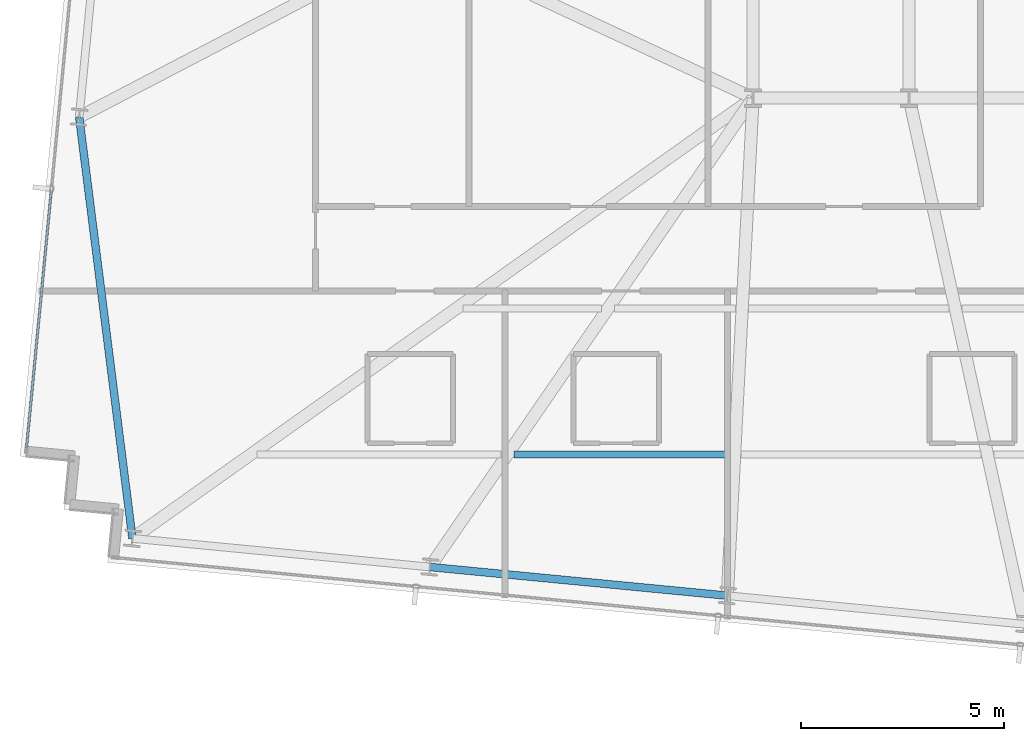
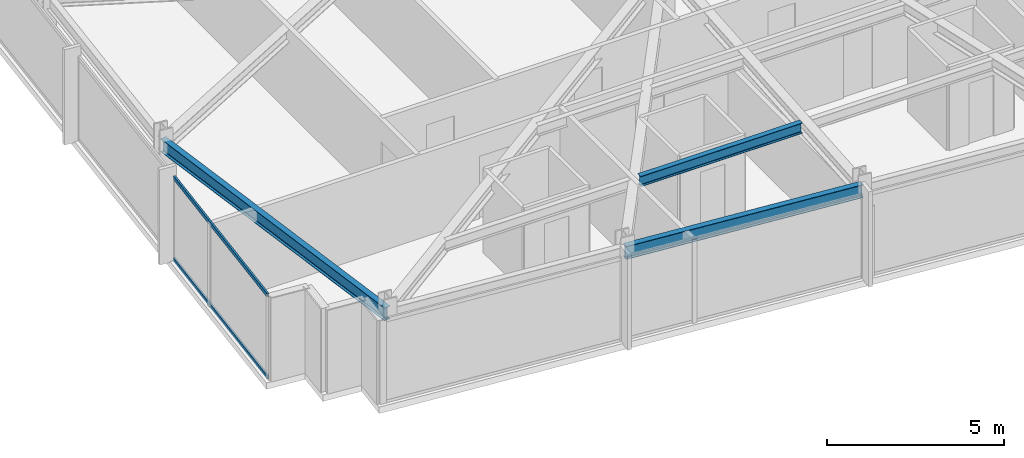
# One storey, part 3 of 37: 3 beams, 2 members, 1 element without a shape of its own.
"""IFC4 building model written with IfcOpenShell, lengths in metres."""

from ifc_helpers import new_model, si_unit, direction, frame, origin, origin_2d, place, context, subcontext, project, spatial, hollow_rectangle, i_section, extrude, material, material_profile, profile_set, type_object, element, aggregate, save


model = new_model("IFC4")

# Units and contexts
model_context = context("Model", 3, precision=1e-05, world=origin(), true_north=direction((0.0, 1.0)))
body_context = subcontext(model_context, "Body", "Model", "MODEL_VIEW")
ifc_project = project(units=[si_unit("LENGTHUNIT", "METRE"), si_unit("AREAUNIT", "SQUARE_METRE"), si_unit("VOLUMEUNIT", "CUBIC_METRE"), si_unit("PLANEANGLEUNIT", "RADIAN"), si_unit("MASSUNIT", "GRAM", prefix="KILO")], contexts=[model_context])

# Site, building, storey
site_placement = place(None, origin())
site = spatial("IfcSite", under=ifc_project, at=site_placement, CompositionType="ELEMENT")
building_placement = place(site_placement, origin())
building = spatial("IfcBuilding", under=site, at=building_placement, Name="Yelkora Congress Tower", CompositionType="ELEMENT")
storey_placement = place(building_placement, frame((0.0, 0.0, 188.60009765625)))
storey = spatial("IfcBuildingStorey", under=building, at=storey_placement, Name="L52", CompositionType="ELEMENT", Elevation=188.60009765625)

# Beams
ifc_material_1 = material(Name="Steel S355J2", Category="steel")
ifc_material_profile_1 = material_profile(ifc_material_1, i_section(OverallWidth=0.169921875, OverallDepth=0.360107421875, WebThickness=0.008056640625, FlangeThickness=0.0126953125, FilletRadius=0.01806640625, at=origin_2d()), Name="IPE 360")
ifc_profile_set_1 = profile_set([ifc_material_profile_1], Name="Steel S355J2")
beam_type_1 = type_object("IfcBeamType", Name="BM-JOIST-IPE360", PredefinedType="JOIST", material=ifc_profile_set_1)
beam_1_placement = place(storey_placement, frame((13.310546875, 16.421142578125, 2.699951171875), z_axis=(1.0, 0.0, 0.0), x_axis=(0.0, 1.0, 0.0)))
element("IfcBeam", 1, at=beam_1_placement, inside=storey, type_object=beam_type_1, Name="L52 Composite Floor Joist 6", PredefinedType="JOIST", context=body_context, shape_type="SweptSolid", body=[
    extrude(i_section(OverallWidth=0.169921875, OverallDepth=0.360107421875, WebThickness=0.008056640625, FlangeThickness=0.0126953125, FilletRadius=0.01806640625, at=origin_2d()), origin(), (0.0, 0.0, 1.0), 5.275146484375),
])
ifc_material_profile_2 = material_profile(ifc_material_1, i_section(OverallWidth=0.18994140625, OverallDepth=0.449951171875, WebThickness=0.009521484375, FlangeThickness=0.0146484375, FilletRadius=0.02099609375, at=origin_2d()), Name="IPE 450")
ifc_profile_set_2 = profile_set([ifc_material_profile_2], Name="Steel S355J2")
beam_type_2 = type_object("IfcBeamType", Name="BM-SPAN-IPE450", PredefinedType="SPANDREL", material=ifc_profile_set_2)
beam_2_placement = place(storey_placement, frame((2.607421875, 24.730712890625, 2.65478515625), z_axis=(0.125457133578, -0.992099041243, 0.0), x_axis=(0.992099041243, 0.125457133578, 0.0)))
element("IfcBeam", 2, at=beam_2_placement, inside=storey, type_object=beam_type_2, Name="L52 Perimeter Beam 1", PredefinedType="SPANDREL", context=body_context, shape_type="SweptSolid", body=[
    extrude(i_section(OverallWidth=0.18994140625, OverallDepth=0.449951171875, WebThickness=0.009521484375, FlangeThickness=0.0146484375, FilletRadius=0.02099609375, at=origin_2d()), origin(), (0.0, 0.0, 1.0), 10.455810546875),
])
beam_3_placement = place(storey_placement, frame((11.242431640625, 13.652099609375, 2.65478515625), z_axis=(0.995397409467, -0.095833173935, 0.0), x_axis=(0.095833173935, 0.995397409467, 0.0)))
element("IfcBeam", 3, at=beam_3_placement, inside=storey, type_object=beam_type_2, Name="L52 Perimeter Beam 3", PredefinedType="SPANDREL", context=body_context, shape_type="SweptSolid", body=[
    extrude(i_section(OverallWidth=0.18994140625, OverallDepth=0.449951171875, WebThickness=0.009521484375, FlangeThickness=0.0146484375, FilletRadius=0.02099609375, at=origin_2d()), origin(), (0.0, 0.0, 1.0), 7.357421875),
])

# Curtain wall, members
ifc_material_2 = material(Name="Anodised aluminium and insulated glass", Category="aluminium")
curtain_wall_type = type_object("IfcCurtainWallType", Name="CW-SYS-B3", PredefinedType="NOTDEFINED", material=ifc_material_2)
curtain_wall_placement = place(storey_placement, origin())
curtain_wall = element("IfcCurtainWall", 4, at=curtain_wall_placement, inside=storey, type_object=curtain_wall_type, Name="L52 Unitised Curtain Wall 5", PredefinedType="NOTDEFINED")
ifc_material_3 = material(Name="Anodised aluminium 6063-T6", Category="aluminium")
ifc_material_profile_3 = material_profile(ifc_material_3, hollow_rectangle(XDim=0.06005859375, YDim=0.1298828125, WallThickness=0.00390625, at=origin_2d()), Name="ALU 60x130x4")
ifc_profile_set_3 = profile_set([ifc_material_profile_3], Name="Anodised aluminium 6063-T6")
member_type = type_object("IfcMemberType", Name="MEM-TR-B3", PredefinedType="USERDEFINED", material=ifc_profile_set_3)
member_1_placement = place(storey_placement, frame((1.31005859375, 16.57763671875, 0.02978515625), z_axis=(0.095834923543, 0.99539724102, 0.0), x_axis=(-0.99539724102, 0.095834923543, 0.0)))
member_1 = element("IfcMember", 5, at=member_1_placement, type_object=member_type, Name="CW-B3 transom 1.1", ObjectType="TRANSOM", PredefinedType="USERDEFINED", context=body_context, shape_type="SweptSolid", body=[
    extrude(hollow_rectangle(XDim=0.06005859375, YDim=0.1298828125, WallThickness=0.00390625, at=origin_2d()), origin(), (0.0, 0.0, 1.0), 6.37890625),
])
member_2_placement = place(storey_placement, frame((1.31005859375, 16.57763671875, 2.849853515625), z_axis=(0.095834923543, 0.99539724102, 0.0), x_axis=(-0.99539724102, 0.095834923543, 0.0)))
member_2 = element("IfcMember", 6, at=member_2_placement, type_object=member_type, Name="CW-B3 transom 1.2", ObjectType="TRANSOM", PredefinedType="USERDEFINED", context=body_context, shape_type="SweptSolid", body=[
    extrude(hollow_rectangle(XDim=0.06005859375, YDim=0.1298828125, WallThickness=0.00390625, at=origin_2d()), origin(), (0.0, 0.0, 1.0), 6.37890625),
])
aggregate(curtain_wall, [member_1, member_2])

save(model, "model.ifc")
